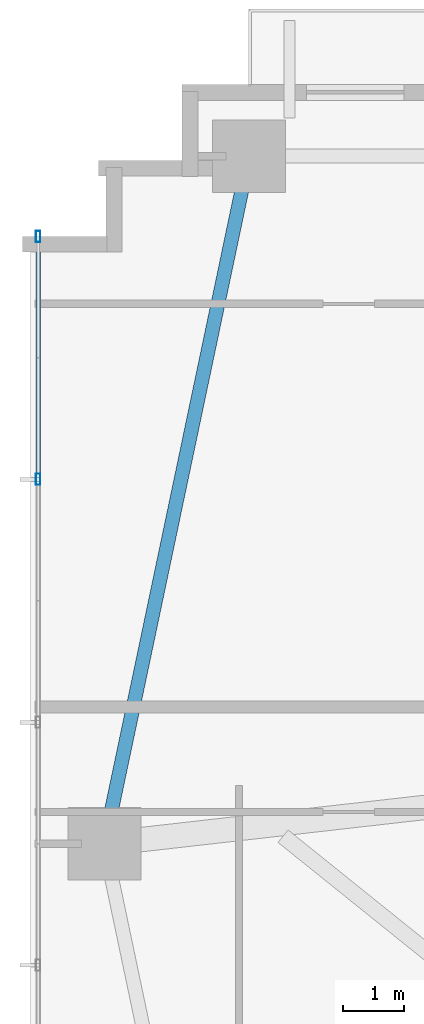
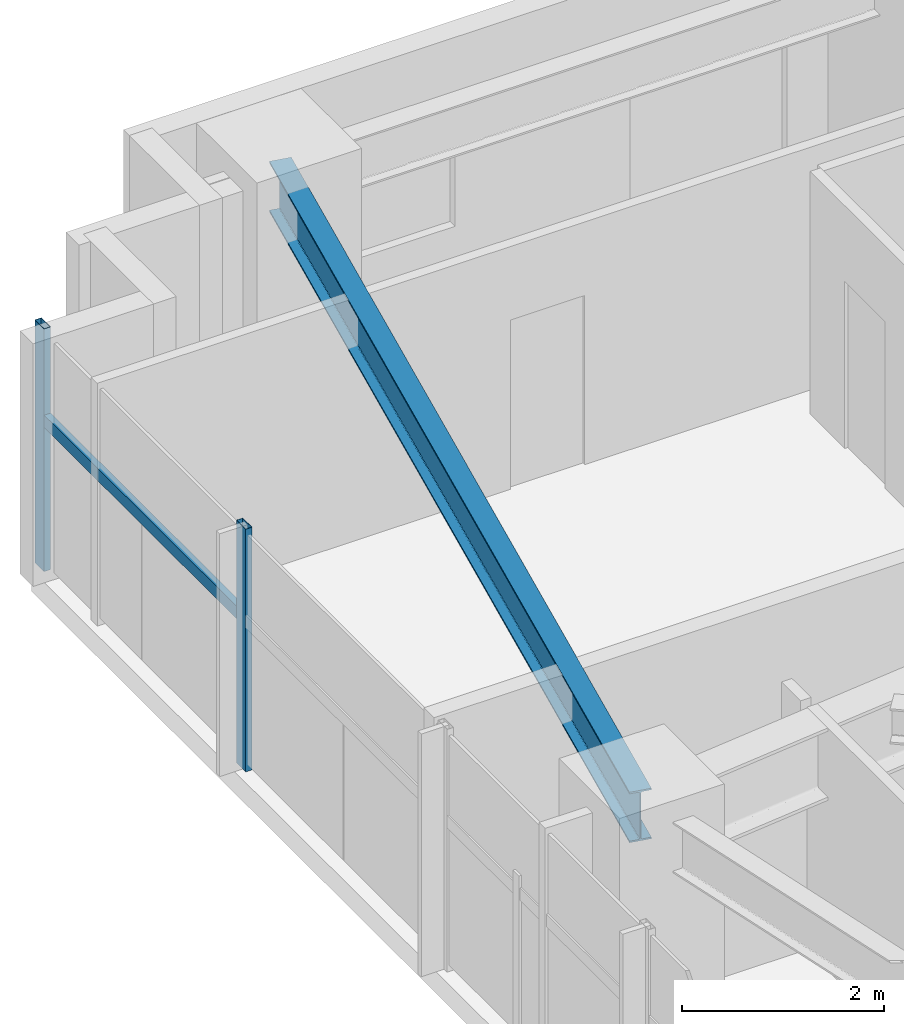
# One storey, part 8 of 25: 3 members, 1 beam, 1 element without a shape of its own.
"""IFC4 building model written with IfcOpenShell, lengths in metres."""

from ifc_helpers import new_model, si_unit, direction, frame, origin, origin_2d, place, context, subcontext, project, spatial, hollow_rectangle, i_section, extrude, source, transform, mapped, material, material_profile, profile_set, type_object, type_shapes, element, aggregate, save


model = new_model("IFC4")

# Units and contexts
model_context = context("Model", 3, precision=1e-05, world=origin(), true_north=direction((0.0, 1.0)))
body_context = subcontext(model_context, "Body", "Model", "MODEL_VIEW")
ifc_project = project(units=[si_unit("LENGTHUNIT", "METRE"), si_unit("AREAUNIT", "SQUARE_METRE"), si_unit("VOLUMEUNIT", "CUBIC_METRE"), si_unit("PLANEANGLEUNIT", "RADIAN"), si_unit("MASSUNIT", "GRAM", prefix="KILO")], contexts=[model_context])

# Site, building, storey
site_placement = place(None, origin())
site = spatial("IfcSite", under=ifc_project, at=site_placement, CompositionType="ELEMENT")
building_placement = place(site_placement, origin())
building = spatial("IfcBuilding", under=site, at=building_placement, Name="Astriad Promenade Condominiums", CompositionType="ELEMENT")
storey_placement = place(building_placement, frame((0.0, 0.0, 32.60009765625)))
storey = spatial("IfcBuildingStorey", under=building, at=storey_placement, Name="L08", CompositionType="ELEMENT", Elevation=32.60009765625)

# Beam
ifc_material_1 = material(Name="Steel ASTM A992 Grade 50", Category="steel")
ifc_material_profile_1 = material_profile(ifc_material_1, i_section(OverallWidth=0.22900390625, OverallDepth=0.612060546875, WebThickness=0.011962890625, FlangeThickness=0.01953125, FilletRadius=0.017822265625, at=origin_2d()), Name="W24X84")
ifc_profile_set_1 = profile_set([ifc_material_profile_1], Name="Steel ASTM A992 Grade 50")
beam_type = type_object("IfcBeamType", Name="STEEL SPANDREL BEAM W24X84", PredefinedType="SPANDREL", material=ifc_profile_set_1)
shared_shape_1 = source(origin(), body_context, "Body", "SweptSolid", [
    extrude(i_section(OverallWidth=0.22900390625, OverallDepth=0.612060546875, WebThickness=0.011962890625, FlangeThickness=0.01953125, FilletRadius=0.017822265625, at=origin_2d()), origin(), (0.0, 0.0, 1.0), 11.48779296875),
])
type_shapes(beam_type, [shared_shape_1])
beam_placement = place(storey_placement, frame((9.391845703125, 26.48095703125, 2.6337890625), z_axis=(-0.205743776427, -0.978605895374, 0.0), x_axis=(0.978605895374, -0.205743776427, 0.0)))
element("IfcBeam", 1, at=beam_placement, inside=storey, type_object=beam_type, Name="Perimeter Spandrel Beam SP-W2-L08", PredefinedType="SPANDREL", context=body_context, shape_type="MappedRepresentation", body=[
    mapped(shared_shape_1, transform((0.0, 0.0, 0.0), scale=1.0)),
])

# Curtain wall, members
ifc_material_2 = material(Name="Anodised aluminium Black Dark Glass Unitised", Category="aluminium")
curtain_wall_type = type_object("IfcCurtainWallType", Name="CW-B1-DARK", PredefinedType="USERDEFINED", material=ifc_material_2)
curtain_wall_placement = place(storey_placement, origin())
curtain_wall = element("IfcCurtainWall", 2, at=curtain_wall_placement, inside=storey, type_object=curtain_wall_type, Name="CW-L08-W", ObjectType="UNITISED_CURTAIN_WALL", PredefinedType="USERDEFINED")
ifc_material_3 = material(Name="Anodised aluminium 6063-T6 Black", Category="aluminium")
ifc_material_profile_2 = material_profile(ifc_material_3, hollow_rectangle(XDim=0.074951171875, YDim=0.18505859375, WallThickness=0.00439453125, at=origin_2d()), Name="ALU-MUL-75X185")
ifc_profile_set_2 = profile_set([ifc_material_profile_2], Name="Anodised aluminium 6063-T6 Black")
member_type_1 = type_object("IfcMemberType", Name="MUL-ALU-MUL-75X185", PredefinedType="MULLION", material=ifc_profile_set_2)
shared_shape_2 = source(origin(), body_context, "Body", "SweptSolid", [
    extrude(hollow_rectangle(XDim=0.074951171875, YDim=0.18505859375, WallThickness=0.00439453125, at=origin_2d()), origin(), (0.0, 0.0, 1.0), 2.93994140625),
])
type_shapes(member_type_1, [shared_shape_2])
member_1_placement = place(storey_placement, frame((5.929931640625, 21.199951171875, 0.0), z_axis=(0.0, 0.0, 1.0), x_axis=(1.0, 0.0, 0.0)))
member_1 = element("IfcMember", 3, at=member_1_placement, type_object=member_type_1, Name="CW-L08-W-MUL-04", PredefinedType="MULLION", context=body_context, shape_type="MappedRepresentation", body=[
    mapped(shared_shape_2, transform((0.0, 0.0, 0.0), scale=1.0)),
])
member_2_placement = place(storey_placement, frame((5.929931640625, 25.199951171875, 0.0), z_axis=(0.0, 0.0, 1.0), x_axis=(1.0, 0.0, 0.0)))
member_2 = element("IfcMember", 4, at=member_2_placement, type_object=member_type_1, Name="CW-L08-W-MUL-05", PredefinedType="MULLION", context=body_context, shape_type="MappedRepresentation", body=[
    mapped(shared_shape_2, transform((0.0, 0.0, 0.0), scale=1.0)),
])
ifc_material_profile_3 = material_profile(ifc_material_3, hollow_rectangle(XDim=0.074951171875, YDim=0.14990234375, WallThickness=0.004150390625, at=origin_2d()), Name="ALU-TRN-75X150")
ifc_profile_set_3 = profile_set([ifc_material_profile_3], Name="Anodised aluminium 6063-T6 Black")
member_type_2 = type_object("IfcMemberType", Name="TRN-ALU-TRN-75X150", PredefinedType="USERDEFINED", material=ifc_profile_set_3)
shared_shape_3 = source(origin(), body_context, "Body", "SweptSolid", [
    extrude(hollow_rectangle(XDim=0.074951171875, YDim=0.14990234375, WallThickness=0.004150390625, at=origin_2d()), origin(), (0.0, 0.0, 1.0), 4.0),
])
type_shapes(member_type_2, [shared_shape_3])
member_3_placement = place(storey_placement, frame((5.929931640625, 21.199951171875, 1.82275390625), z_axis=(0.0, 1.0, 0.0), x_axis=(-1.0, 0.0, 0.0)))
member_3 = element("IfcMember", 5, at=member_3_placement, type_object=member_type_2, Name="CW-L08-W-TRN-04-0", ObjectType="TRANSOM", PredefinedType="USERDEFINED", context=body_context, shape_type="MappedRepresentation", body=[
    mapped(shared_shape_3, transform((0.0, 0.0, 0.0), scale=1.0)),
])
aggregate(curtain_wall, [member_1, member_2, member_3])

save(model, "model.ifc")
